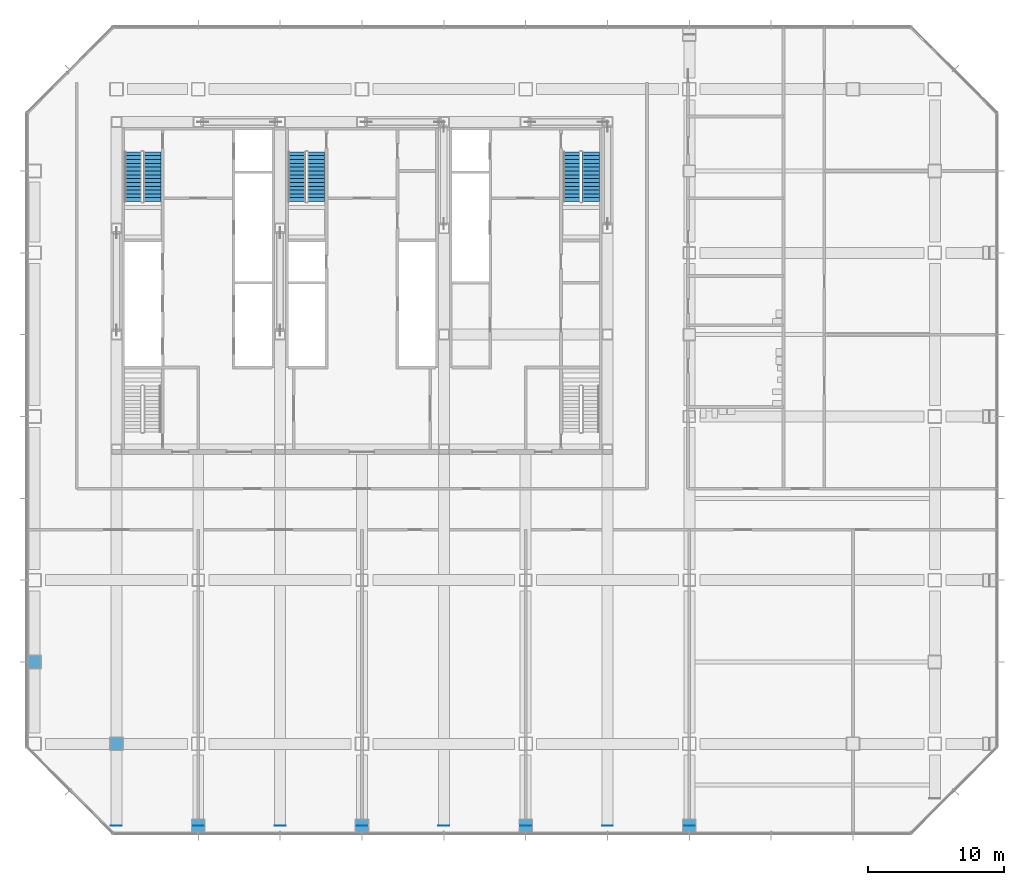
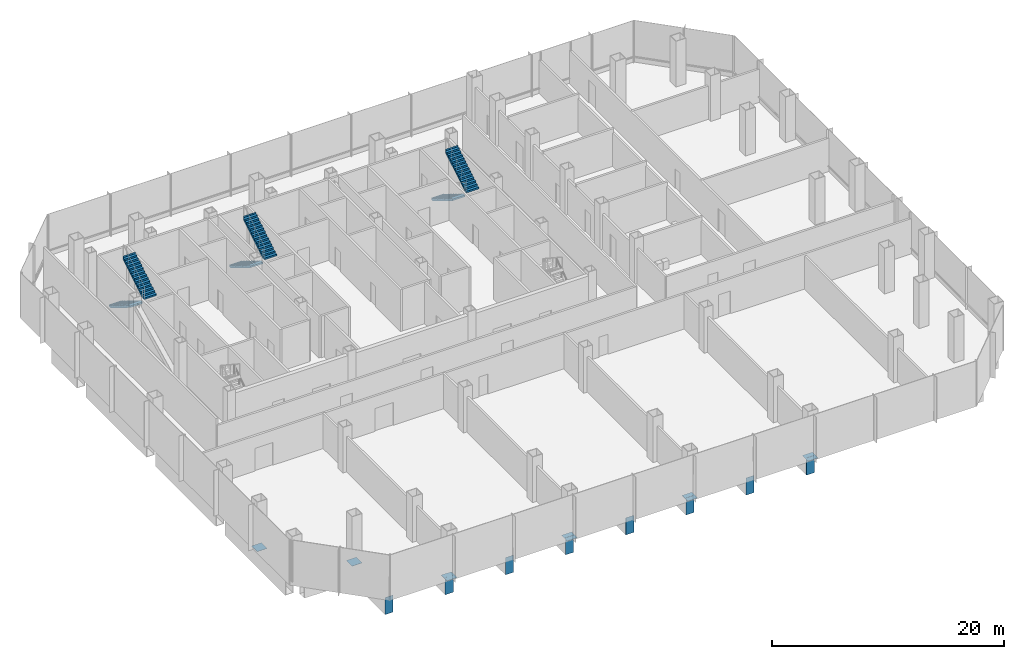
# One storey, part 25 of 34: 14 discrete accessories, 6 stair flights, 3 elements without a shape of their own.
"""IFC4 building model written with IfcOpenShell, lengths in metres."""

import ifcopenshell
import ifcopenshell.guid

model = None  # the IFC model being written
_history = None  # IfcOwnerHistory: only IFC2X3 demands one
_inside = {}  # id of a spatial element -> (the spatial element, [elements in it])
_under = {}  # id of a project, library or spatial element -> (it, [spatial elements below it])
_declared = {}  # id of a project -> (the project, [libraries it declares])
_typed = {}  # id of a type object -> (the type object, [elements of that type])
_made_of = {}  # id of a material, layer set ... -> (it, [elements and type objects made of it])


def new_model(schema):
    """Start an empty IFC model of exactly this schema.

    Asked for "IFC4X3", IfcOpenShell would pick the latest addendum, in which some entities
    have other attributes; the version numbers below select the first issue.
    IFC2X3 requires an IfcOwnerHistory on every rooted entity: one is made here for all.
    """
    global model, _history
    if schema == "IFC4X3":
        model = ifcopenshell.file(schema_version=(4, 3, 0, 0))
    else:
        model = ifcopenshell.file(schema=schema)
    _inside.clear()
    _under.clear()
    _declared.clear()
    _typed.clear()
    _made_of.clear()
    _history = None
    if model.schema == "IFC2X3":
        org = make("IfcOrganization", Name="unknown")
        user = make(
            "IfcPersonAndOrganization",
            ThePerson=make("IfcPerson", FamilyName="unknown"),
            TheOrganization=org,
        )
        app = make(
            "IfcApplication",
            ApplicationDeveloper=org,
            Version="unknown",
            ApplicationFullName="unknown",
            ApplicationIdentifier="unknown",
        )
        _history = make(
            "IfcOwnerHistory",
            OwningUser=user,
            OwningApplication=app,
            ChangeAction="ADDED",
            CreationDate=0,
        )
    return model


def make(cls, **values):
    """One entity of the class cls with the attributes given. An attribute that is None is left unset."""
    return model.create_entity(
        cls, **{name: value for name, value in values.items() if value is not None}
    )


def rooted(cls, **values):
    """An entity with a GlobalId (a new one), such as an element, a storey or a relation."""
    return make(cls, GlobalId=ifcopenshell.guid.new(), OwnerHistory=_history, **values)


def si_unit(unit_type, name, prefix=None):
    """IfcSIUnit, for example si_unit("LENGTHUNIT", "METRE", prefix="MILLI")."""
    return make("IfcSIUnit", UnitType=unit_type, Prefix=prefix, Name=name)


def assignment(units):
    """IfcUnitAssignment: the units of a project."""
    return None if units is None else make("IfcUnitAssignment", Units=units)


def point(xyz):
    """IfcCartesianPoint."""
    return None if xyz is None else make("IfcCartesianPoint", Coordinates=xyz)


def direction(xyz):
    """IfcDirection."""
    return None if xyz is None else make("IfcDirection", DirectionRatios=xyz)


def frame(location, z_axis=None, x_axis=None):
    """IfcAxis2Placement3D, a coordinate frame: its origin and axes. An axis left out is left unset."""
    return make(
        "IfcAxis2Placement3D",
        Location=point(location),
        Axis=direction(z_axis),
        RefDirection=direction(x_axis),
    )


def frame_2d(location, x_axis=None):
    """IfcAxis2Placement2D, a coordinate frame in the plane: its origin and x axis."""
    return make(
        "IfcAxis2Placement2D", Location=point(location), RefDirection=direction(x_axis)
    )


def origin():
    """The frame at (0, 0, 0) with its axes left unset."""
    return frame((0.0, 0.0, 0.0))


def origin_2d():
    """The frame at (0, 0) in the plane with its x axis left unset."""
    return frame_2d((0.0, 0.0))


def place(relative_to, where):
    """IfcLocalPlacement: puts the frame where relative to a parent placement (None: the world)."""
    return make(
        "IfcLocalPlacement", PlacementRelTo=relative_to, RelativePlacement=where
    )


def context(
    kind, dimensions, precision=None, world=None, true_north=None, identifier=None
):
    """IfcGeometricRepresentationContext, for example the 3D "Model" context."""
    return make(
        "IfcGeometricRepresentationContext",
        ContextIdentifier=identifier,
        ContextType=kind,
        CoordinateSpaceDimension=dimensions,
        Precision=precision,
        WorldCoordinateSystem=world,
        TrueNorth=true_north,
    )


def subcontext(parent, identifier, kind, view, scale=None):
    """IfcGeometricRepresentationSubContext, for example "Body" below "Model"."""
    return make(
        "IfcGeometricRepresentationSubContext",
        ContextIdentifier=identifier,
        ContextType=kind,
        ParentContext=parent,
        TargetScale=scale,
        TargetView=view,
    )


def project(units=None, contexts=None):
    """IfcProject with its units and contexts."""
    return rooted(
        "IfcProject",
        Name="project",
        RepresentationContexts=contexts,
        UnitsInContext=assignment(units),
    )


def spatial(cls, under=None, at=None, **own):
    """A site, building, storey or space (cls), placed at a placement, below another one or the project."""
    s = rooted(cls, ObjectPlacement=at, **own)
    if under is not None:
        _under.setdefault(under.id(), (under, []))[1].append(s)
    return s


def polyline(points):
    """IfcPolyline through the points."""
    return make("IfcPolyline", Points=[point(p) for p in points])


def profile(cls, at=None, kind="AREA", **sizes):
    """A parametric profile (cls). Its sizes go by their IFC names, for example OverallWidth=200.0."""
    return make(cls, ProfileType=kind, Position=at, **sizes)


def rectangle(**sizes):
    """IfcRectangleProfileDef."""
    return profile("IfcRectangleProfileDef", **sizes)


def outline(outer, holes=None, kind="AREA"):
    """IfcArbitraryClosedProfileDef: a profile drawn as a closed curve; with holes, ...WithVoids."""
    if holes is None:
        return make("IfcArbitraryClosedProfileDef", ProfileType=kind, OuterCurve=outer)
    return make(
        "IfcArbitraryProfileDefWithVoids",
        ProfileType=kind,
        OuterCurve=outer,
        InnerCurves=holes,
    )


def extrude(swept, where, along, depth):
    """IfcExtrudedAreaSolid: the profile swept, set in the frame where, extruded along a direction by depth."""
    return make(
        "IfcExtrudedAreaSolid",
        SweptArea=swept,
        Position=where,
        ExtrudedDirection=direction(along),
        Depth=depth,
    )


def shape(context_of_items, identifier, shape_type, items):
    """IfcShapeRepresentation: the items that make up one representation, for example the "Body"."""
    return make(
        "IfcShapeRepresentation",
        ContextOfItems=context_of_items,
        RepresentationIdentifier=identifier,
        RepresentationType=shape_type,
        Items=items,
    )


def material(Name=None, Category=None):
    """IfcMaterial."""
    return make("IfcMaterial", Name=Name, Category=Category)


def layer(
    of_material, thickness, ventilated=None, Name=None, Category=None, Priority=None
):
    """IfcMaterialLayer: one layer of a wall or slab, of a material (None: an air gap)."""
    return make(
        "IfcMaterialLayer",
        Material=of_material,
        LayerThickness=thickness,
        IsVentilated=ventilated,
        Name=Name,
        Category=Category,
        Priority=Priority,
    )


def layer_set(layers, Name=None):
    """IfcMaterialLayerSet."""
    return make("IfcMaterialLayerSet", MaterialLayers=layers, LayerSetName=Name)


def made_of(thing, what):
    """Note that an element or type object is made of a material, layer set ...; save() writes the relation."""
    if what is not None:
        _made_of.setdefault(what.id(), (what, []))[1].append(thing)
    return thing


def type_object(cls, material=None, **own):
    """A type object (cls), such as IfcWallType, which elements share."""
    return made_of(rooted(cls, **own), material)


def element(
    cls,
    number,
    at=None,
    inside=None,
    cuts=None,
    type_object=None,
    material=None,
    context=None,
    identifier="Body",
    shape_type=None,
    held_by="IfcProductDefinitionShape",
    body=None,
    shapes=None,
    **own,
):
    """One element of the class cls, such as IfcWall. Its Tag is "e" and its number.

    at: its placement. inside: the storey or other place that contains it. cuts: it is an
    opening in that element (IfcRelVoidsElement). A single representation is given by context,
    identifier, shape_type and body (its items); several are given by shapes. held_by: the class
    of the entity that holds the representations. save() writes the other relations.
    """
    e = rooted(cls, Tag="e%d" % number, ObjectPlacement=at, **own)
    if body is not None:
        shapes = [shape(context, identifier, shape_type, body)]
    if shapes is not None:
        e.Representation = make(held_by, Representations=shapes)
    if inside is not None:
        _inside.setdefault(inside.id(), (inside, []))[1].append(e)
    if cuts is not None:
        rooted(
            "IfcRelVoidsElement", RelatingBuildingElement=cuts, RelatedOpeningElement=e
        )
    if type_object is not None:
        _typed.setdefault(type_object.id(), (type_object, []))[1].append(e)
    return made_of(e, material)


def aggregate(whole, parts):
    """IfcRelAggregates: a whole, such as a stair, and the parts it consists of."""
    return rooted("IfcRelAggregates", RelatingObject=whole, RelatedObjects=parts)


def save(model, path):
    """Write the relations noted so far, then the file.

    IfcRelAggregates (storeys below a building ...), IfcRelContainedInSpatialStructure (elements
    in a storey), IfcRelDefinesByType, IfcRelAssociatesMaterial and IfcRelDeclares: one each for
    every whole, place, type object, material and project.
    """
    for whole, parts in _under.values():
        aggregate(whole, parts)
    for where, things in _inside.values():
        rooted(
            "IfcRelContainedInSpatialStructure",
            RelatedElements=things,
            RelatingStructure=where,
        )
    for kind, things in _typed.values():
        rooted("IfcRelDefinesByType", RelatedObjects=things, RelatingType=kind)
    for what, things in _made_of.values():
        rooted("IfcRelAssociatesMaterial", RelatedObjects=things, RelatingMaterial=what)
    for by, libraries in _declared.values():
        rooted("IfcRelDeclares", RelatingContext=by, RelatedDefinitions=libraries)
    model.write(path)


model = new_model("IFC4")

# Units and contexts
model_context = context("Model", 3, precision=1e-05, world=origin(), true_north=direction((0.0, 1.0)))
body_context = subcontext(model_context, "Body", "Model", "MODEL_VIEW")
ifc_project = project(units=[si_unit("LENGTHUNIT", "METRE"), si_unit("AREAUNIT", "SQUARE_METRE"), si_unit("VOLUMEUNIT", "CUBIC_METRE"), si_unit("PLANEANGLEUNIT", "RADIAN"), si_unit("MASSUNIT", "GRAM", prefix="KILO")], contexts=[model_context])

# Site, building, storey
site_placement = place(None, origin())
site = spatial("IfcSite", under=ifc_project, at=site_placement, CompositionType="ELEMENT")
building_placement = place(site_placement, origin())
building = spatial("IfcBuilding", under=site, at=building_placement, Name="Sorahane Residences", CompositionType="ELEMENT")
storey_placement = place(building_placement, frame((0.0, 0.0, 20.39990234375)))
storey = spatial("IfcBuildingStorey", under=building, at=storey_placement, Name="L02", CompositionType="ELEMENT", Elevation=20.39990234375)

# Stair, stair flights
ifc_material_1 = material(Name="Concrete C40", Category="concrete")
stair_type = type_object("IfcStairType", Name="Dog-leg stair 1250 Concrete C40", PredefinedType="HALF_TURN_STAIR", material=ifc_material_1)
stair_1_placement = place(storey_placement, origin())
stair_1 = element("IfcStair", 1, at=stair_1_placement, inside=storey, type_object=stair_type, Name="L02 Stair S1", PredefinedType="HALF_TURN_STAIR")
ifc_material_2 = material(Name="Concrete C40", Category="concrete")
stair_flight_type = type_object("IfcStairFlightType", Name="Stair flight 1250 Concrete C40", PredefinedType="STRAIGHT", material=ifc_material_2)
stair_flight_1_placement = place(storey_placement, frame((7.22509765625, 43.39990234375, 0.0), z_axis=(0.0, 0.0, 1.0), x_axis=(0.0, -1.0, 0.0)))
stair_flight_1 = element("IfcStairFlight", 2, at=stair_flight_1_placement, type_object=stair_flight_type, Name="S1 flight 1", NumberOfRisers=14, NumberOfTreads=13, PredefinedType="STRAIGHT", RiserHeight=0.171428571, TreadLength=0.28, context=body_context, shape_type="SweptSolid", body=[
    extrude(outline(polyline([(-0.00146484375, 0.0), (-0.00146484375, 0.17138671875), (0.0, 0.17138671875), (0.280029296875, 0.17138671875), (0.280029296875, 0.3427734375), (0.56005859375, 0.3427734375), (0.56005859375, 0.514404296875), (0.840087890625, 0.514404296875), (0.840087890625, 0.685791015625), (1.1201171875, 0.685791015625), (1.1201171875, 0.857177734375), (1.39990234375, 0.857177734375), (1.39990234375, 1.028564453125), (1.679931640625, 1.028564453125), (1.679931640625, 1.199951171875), (1.9599609375, 1.199951171875), (1.9599609375, 1.371337890625), (2.239990234375, 1.371337890625), (2.239990234375, 1.54296875), (2.52001953125, 1.54296875), (2.52001953125, 1.71435546875), (2.800048828125, 1.71435546875), (2.800048828125, 1.8857421875), (3.080078125, 1.8857421875), (3.080078125, 2.05712890625), (3.360107421875, 2.05712890625), (3.360107421875, 2.228515625), (3.639892578125, 2.228515625), (3.639892578125, 2.39990234375), (3.639892578125, 2.052734375), (3.41650390625, 1.916015625), (3.19287109375, 1.779052734375), (2.969482421875, 1.642333984375), (2.745849609375, 1.50537109375), (2.5224609375, 1.36865234375), (2.298828125, 1.231689453125), (2.0751953125, 1.0947265625), (1.851806640625, 0.9580078125), (1.628173828125, 0.821044921875), (1.40478515625, 0.684326171875), (1.18115234375, 0.54736328125), (0.957763671875, 0.41064453125), (0.734130859375, 0.273681640625), (0.510498046875, 0.136962890625), (0.287109375, 0.0), (-0.00146484375, 0.0)])), frame((0.0, 0.625, 0.0), z_axis=(0.0, -1.0, 0.0), x_axis=(1.0, 0.0, 0.0)), (0.0, 0.0, 1.0), 1.25),
])
stair_flight_2_placement = place(storey_placement, frame((8.625, 39.760009765625, 2.400146484375), z_axis=(0.0, 0.0, 1.0), x_axis=(0.0, 1.0, 0.0)))
stair_flight_2 = element("IfcStairFlight", 3, at=stair_flight_2_placement, type_object=stair_flight_type, Name="S1 flight 2", NumberOfRisers=14, NumberOfTreads=13, PredefinedType="STRAIGHT", RiserHeight=0.171428571, TreadLength=0.28, context=body_context, shape_type="SweptSolid", body=[
    extrude(outline(polyline([(0.0, 0.0), (0.0, 0.17138671875), (0.280029296875, 0.17138671875), (0.280029296875, 0.3427734375), (0.56005859375, 0.3427734375), (0.56005859375, 0.514404296875), (0.840087890625, 0.514404296875), (0.840087890625, 0.685791015625), (1.1201171875, 0.685791015625), (1.1201171875, 0.857177734375), (1.39990234375, 0.857177734375), (1.39990234375, 1.028564453125), (1.679931640625, 1.028564453125), (1.679931640625, 1.199951171875), (1.9599609375, 1.199951171875), (1.9599609375, 1.371337890625), (2.239990234375, 1.371337890625), (2.239990234375, 1.54296875), (2.52001953125, 1.54296875), (2.52001953125, 1.71435546875), (2.800048828125, 1.71435546875), (2.800048828125, 1.8857421875), (3.080078125, 1.8857421875), (3.080078125, 2.05712890625), (3.360107421875, 2.05712890625), (3.360107421875, 2.228515625), (3.639892578125, 2.228515625), (3.639892578125, 2.39990234375), (3.6416015625, 2.39990234375), (3.6416015625, 2.052734375), (3.41796875, 1.916015625), (3.1943359375, 1.779052734375), (2.970703125, 1.642333984375), (2.7470703125, 1.50537109375), (2.5234375, 1.36865234375), (2.2998046875, 1.231689453125), (2.076171875, 1.0947265625), (1.8525390625, 0.9580078125), (1.62890625, 0.821044921875), (1.4052734375, 0.684326171875), (1.181640625, 0.54736328125), (0.9580078125, 0.41064453125), (0.734375, 0.273681640625), (0.5107421875, 0.136962890625), (0.287109375, 0.0), (0.0, 0.0)])), frame((0.0, 0.625, 0.0), z_axis=(0.0, -1.0, 0.0), x_axis=(1.0, 0.0, 0.0)), (0.0, 0.0, 1.0), 1.25),
])
aggregate(stair_1, [stair_flight_1, stair_flight_2])

stair_2_placement = place(storey_placement, origin())
stair_2 = element("IfcStair", 4, at=stair_2_placement, inside=storey, type_object=stair_type, Name="L02 Stair S2", PredefinedType="HALF_TURN_STAIR")
stair_flight_3_placement = place(storey_placement, frame((39.375, 43.39990234375, 0.0), z_axis=(0.0, 0.0, 1.0), x_axis=(0.0, -1.0, 0.0)))
stair_flight_3 = element("IfcStairFlight", 5, at=stair_flight_3_placement, type_object=stair_flight_type, Name="S2 flight 1", NumberOfRisers=14, NumberOfTreads=13, PredefinedType="STRAIGHT", RiserHeight=0.171428571, TreadLength=0.28, context=body_context, shape_type="SweptSolid", body=[
    extrude(outline(polyline([(-0.00146484375, 0.0), (-0.00146484375, 0.17138671875), (0.0, 0.17138671875), (0.280029296875, 0.17138671875), (0.280029296875, 0.3427734375), (0.56005859375, 0.3427734375), (0.56005859375, 0.514404296875), (0.840087890625, 0.514404296875), (0.840087890625, 0.685791015625), (1.1201171875, 0.685791015625), (1.1201171875, 0.857177734375), (1.39990234375, 0.857177734375), (1.39990234375, 1.028564453125), (1.679931640625, 1.028564453125), (1.679931640625, 1.199951171875), (1.9599609375, 1.199951171875), (1.9599609375, 1.371337890625), (2.239990234375, 1.371337890625), (2.239990234375, 1.54296875), (2.52001953125, 1.54296875), (2.52001953125, 1.71435546875), (2.800048828125, 1.71435546875), (2.800048828125, 1.8857421875), (3.080078125, 1.8857421875), (3.080078125, 2.05712890625), (3.360107421875, 2.05712890625), (3.360107421875, 2.228515625), (3.639892578125, 2.228515625), (3.639892578125, 2.39990234375), (3.639892578125, 2.052734375), (3.41650390625, 1.916015625), (3.19287109375, 1.779052734375), (2.969482421875, 1.642333984375), (2.745849609375, 1.50537109375), (2.5224609375, 1.36865234375), (2.298828125, 1.231689453125), (2.0751953125, 1.0947265625), (1.851806640625, 0.9580078125), (1.628173828125, 0.821044921875), (1.40478515625, 0.684326171875), (1.18115234375, 0.54736328125), (0.957763671875, 0.41064453125), (0.734130859375, 0.273681640625), (0.510498046875, 0.136962890625), (0.287109375, 0.0), (-0.00146484375, 0.0)])), frame((0.0, 0.625, 0.0), z_axis=(0.0, -1.0, 0.0), x_axis=(1.0, 0.0, 0.0)), (0.0, 0.0, 1.0), 1.25),
])
stair_flight_4_placement = place(storey_placement, frame((40.77490234375, 39.760009765625, 2.400146484375), z_axis=(0.0, 0.0, 1.0), x_axis=(0.0, 1.0, 0.0)))
stair_flight_4 = element("IfcStairFlight", 6, at=stair_flight_4_placement, type_object=stair_flight_type, Name="S2 flight 2", NumberOfRisers=14, NumberOfTreads=13, PredefinedType="STRAIGHT", RiserHeight=0.171428571, TreadLength=0.28, context=body_context, shape_type="SweptSolid", body=[
    extrude(outline(polyline([(0.0, 0.0), (0.0, 0.17138671875), (0.280029296875, 0.17138671875), (0.280029296875, 0.3427734375), (0.56005859375, 0.3427734375), (0.56005859375, 0.514404296875), (0.840087890625, 0.514404296875), (0.840087890625, 0.685791015625), (1.1201171875, 0.685791015625), (1.1201171875, 0.857177734375), (1.39990234375, 0.857177734375), (1.39990234375, 1.028564453125), (1.679931640625, 1.028564453125), (1.679931640625, 1.199951171875), (1.9599609375, 1.199951171875), (1.9599609375, 1.371337890625), (2.239990234375, 1.371337890625), (2.239990234375, 1.54296875), (2.52001953125, 1.54296875), (2.52001953125, 1.71435546875), (2.800048828125, 1.71435546875), (2.800048828125, 1.8857421875), (3.080078125, 1.8857421875), (3.080078125, 2.05712890625), (3.360107421875, 2.05712890625), (3.360107421875, 2.228515625), (3.639892578125, 2.228515625), (3.639892578125, 2.39990234375), (3.6416015625, 2.39990234375), (3.6416015625, 2.052734375), (3.41796875, 1.916015625), (3.1943359375, 1.779052734375), (2.970703125, 1.642333984375), (2.7470703125, 1.50537109375), (2.5234375, 1.36865234375), (2.2998046875, 1.231689453125), (2.076171875, 1.0947265625), (1.8525390625, 0.9580078125), (1.62890625, 0.821044921875), (1.4052734375, 0.684326171875), (1.181640625, 0.54736328125), (0.9580078125, 0.41064453125), (0.734375, 0.273681640625), (0.5107421875, 0.136962890625), (0.287109375, 0.0), (0.0, 0.0)])), frame((0.0, 0.625, 0.0), z_axis=(0.0, -1.0, 0.0), x_axis=(1.0, 0.0, 0.0)), (0.0, 0.0, 1.0), 1.25),
])
aggregate(stair_2, [stair_flight_3, stair_flight_4])

stair_3_placement = place(storey_placement, origin())
stair_3 = element("IfcStair", 7, at=stair_3_placement, inside=storey, type_object=stair_type, Name="L02 Stair S3", PredefinedType="HALF_TURN_STAIR")
stair_flight_5_placement = place(storey_placement, frame((19.22509765625, 43.39990234375, 0.0), z_axis=(0.0, 0.0, 1.0), x_axis=(0.0, -1.0, 0.0)))
stair_flight_5 = element("IfcStairFlight", 8, at=stair_flight_5_placement, type_object=stair_flight_type, Name="S3 flight 1", NumberOfRisers=14, NumberOfTreads=13, PredefinedType="STRAIGHT", RiserHeight=0.171428571, TreadLength=0.28, context=body_context, shape_type="SweptSolid", body=[
    extrude(outline(polyline([(-0.00146484375, 0.0), (-0.00146484375, 0.17138671875), (0.0, 0.17138671875), (0.280029296875, 0.17138671875), (0.280029296875, 0.3427734375), (0.56005859375, 0.3427734375), (0.56005859375, 0.514404296875), (0.840087890625, 0.514404296875), (0.840087890625, 0.685791015625), (1.1201171875, 0.685791015625), (1.1201171875, 0.857177734375), (1.39990234375, 0.857177734375), (1.39990234375, 1.028564453125), (1.679931640625, 1.028564453125), (1.679931640625, 1.199951171875), (1.9599609375, 1.199951171875), (1.9599609375, 1.371337890625), (2.239990234375, 1.371337890625), (2.239990234375, 1.54296875), (2.52001953125, 1.54296875), (2.52001953125, 1.71435546875), (2.800048828125, 1.71435546875), (2.800048828125, 1.8857421875), (3.080078125, 1.8857421875), (3.080078125, 2.05712890625), (3.360107421875, 2.05712890625), (3.360107421875, 2.228515625), (3.639892578125, 2.228515625), (3.639892578125, 2.39990234375), (3.639892578125, 2.052734375), (3.41650390625, 1.916015625), (3.19287109375, 1.779052734375), (2.969482421875, 1.642333984375), (2.745849609375, 1.50537109375), (2.5224609375, 1.36865234375), (2.298828125, 1.231689453125), (2.0751953125, 1.0947265625), (1.851806640625, 0.9580078125), (1.628173828125, 0.821044921875), (1.40478515625, 0.684326171875), (1.18115234375, 0.54736328125), (0.957763671875, 0.41064453125), (0.734130859375, 0.273681640625), (0.510498046875, 0.136962890625), (0.287109375, 0.0), (-0.00146484375, 0.0)])), frame((0.0, 0.625, 0.0), z_axis=(0.0, -1.0, 0.0), x_axis=(1.0, 0.0, 0.0)), (0.0, 0.0, 1.0), 1.25),
])
stair_flight_6_placement = place(storey_placement, frame((20.625, 39.760009765625, 2.400146484375), z_axis=(0.0, 0.0, 1.0), x_axis=(0.0, 1.0, 0.0)))
stair_flight_6 = element("IfcStairFlight", 9, at=stair_flight_6_placement, type_object=stair_flight_type, Name="S3 flight 2", NumberOfRisers=14, NumberOfTreads=13, PredefinedType="STRAIGHT", RiserHeight=0.171428571, TreadLength=0.28, context=body_context, shape_type="SweptSolid", body=[
    extrude(outline(polyline([(0.0, 0.0), (0.0, 0.17138671875), (0.280029296875, 0.17138671875), (0.280029296875, 0.3427734375), (0.56005859375, 0.3427734375), (0.56005859375, 0.514404296875), (0.840087890625, 0.514404296875), (0.840087890625, 0.685791015625), (1.1201171875, 0.685791015625), (1.1201171875, 0.857177734375), (1.39990234375, 0.857177734375), (1.39990234375, 1.028564453125), (1.679931640625, 1.028564453125), (1.679931640625, 1.199951171875), (1.9599609375, 1.199951171875), (1.9599609375, 1.371337890625), (2.239990234375, 1.371337890625), (2.239990234375, 1.54296875), (2.52001953125, 1.54296875), (2.52001953125, 1.71435546875), (2.800048828125, 1.71435546875), (2.800048828125, 1.8857421875), (3.080078125, 1.8857421875), (3.080078125, 2.05712890625), (3.360107421875, 2.05712890625), (3.360107421875, 2.228515625), (3.639892578125, 2.228515625), (3.639892578125, 2.39990234375), (3.6416015625, 2.39990234375), (3.6416015625, 2.052734375), (3.41796875, 1.916015625), (3.1943359375, 1.779052734375), (2.970703125, 1.642333984375), (2.7470703125, 1.50537109375), (2.5234375, 1.36865234375), (2.2998046875, 1.231689453125), (2.076171875, 1.0947265625), (1.8525390625, 0.9580078125), (1.62890625, 0.821044921875), (1.4052734375, 0.684326171875), (1.181640625, 0.54736328125), (0.9580078125, 0.41064453125), (0.734375, 0.273681640625), (0.5107421875, 0.136962890625), (0.287109375, 0.0), (0.0, 0.0)])), frame((0.0, 0.625, 0.0), z_axis=(0.0, -1.0, 0.0), x_axis=(1.0, 0.0, 0.0)), (0.0, 0.0, 1.0), 1.25),
])
aggregate(stair_3, [stair_flight_5, stair_flight_6])

# Discrete accessories
ifc_material_3 = material(Name="Steel Q420GJ", Category="steel")
ifc_layer_1 = layer(ifc_material_3, 0.02001953125)
ifc_layer_set_1 = layer_set([ifc_layer_1], Name="End plate Steel Q420GJ 1000x1000x20")
discrete_accessory_type_1 = type_object("IfcDiscreteAccessoryType", Name="End plate Steel Q420GJ 1000x1000x20", PredefinedType="USERDEFINED", material=ifc_layer_set_1)
for number, where, z_axis, x_axis, name in (
    (10, (12.0, -6.0, -0.419921875), (0.0, 0.0, 1.0), (1.0, 0.0, 0.0), "End plate L02"),
    (11, (24.0, -6.0, -0.419921875), (0.0, 0.0, 1.0), (1.0, 0.0, 0.0), "End plate L02"),
    (12, (36.0, -6.0, -0.419921875), (0.0, 0.0, 1.0), (1.0, 0.0, 0.0), "End plate L02"),
    (13, (48.0, -6.0, -0.419921875), (0.0, 0.0, 1.0), (1.0, 0.0, 0.0), "End plate L02"),
    (14, (6.0, 0.0, -0.419921875), (0.0, 0.0, 1.0), (1.0, 0.0, 0.0), "End plate L02"),
    (15, (0.0, 6.0, -0.419921875), (0.0, 0.0, 1.0), (1.0, 0.0, 0.0), "End plate L02"),
):
    element("IfcDiscreteAccessory", number, at=place(storey_placement, frame(where, z_axis=z_axis, x_axis=x_axis)), inside=storey, type_object=discrete_accessory_type_1, Name=name, ObjectType="END PLATE", PredefinedType="USERDEFINED", context=body_context, shape_type="SweptSolid", body=[
        extrude(rectangle(XDim=1.0, YDim=1.0, at=origin_2d()), origin(), (0.0, 0.0, 1.0), 0.02001953125),
    ])
ifc_material_4 = material(Name="Steel Q420GJ", Category="steel")
ifc_layer_2 = layer(ifc_material_4, 0.02001953125)
ifc_layer_set_2 = layer_set([ifc_layer_2], Name="End plate Steel Q420GJ 800x1800x20")
discrete_accessory_type_2 = type_object("IfcDiscreteAccessoryType", Name="End plate Steel Q420GJ 800x1800x20", PredefinedType="USERDEFINED", material=ifc_layer_set_2)
for number, where, z_axis, x_axis, name in (
    (16, (12.0, -6.010009765625, -2.19970703125), (0.0, 0.0, 1.0), (0.0, 1.0, 0.0), "End plate L02"),
    (17, (24.0, -6.010009765625, -2.19970703125), (0.0, 0.0, 1.0), (0.0, 1.0, 0.0), "End plate L02"),
    (18, (36.0, -6.010009765625, -2.19970703125), (0.0, 0.0, 1.0), (0.0, 1.0, 0.0), "End plate L02"),
    (19, (48.0, -6.010009765625, -2.19970703125), (0.0, 0.0, 1.0), (0.0, 1.0, 0.0), "End plate L02"),
    (20, (6.0, -6.010009765625, -2.19970703125), (0.0, 0.0, 1.0), (0.0, 1.0, 0.0), "End plate L02"),
    (21, (18.0, -6.010009765625, -2.19970703125), (0.0, 0.0, 1.0), (0.0, 1.0, 0.0), "End plate L02"),
    (22, (30.0, -6.010009765625, -2.19970703125), (0.0, 0.0, 1.0), (0.0, 1.0, 0.0), "End plate L02"),
    (23, (42.0, -6.010009765625, -2.19970703125), (0.0, 0.0, 1.0), (0.0, 1.0, 0.0), "End plate L02"),
):
    element("IfcDiscreteAccessory", number, at=place(storey_placement, frame(where, z_axis=z_axis, x_axis=x_axis)), inside=storey, type_object=discrete_accessory_type_2, Name=name, ObjectType="END PLATE", PredefinedType="USERDEFINED", context=body_context, shape_type="SweptSolid", body=[
        extrude(rectangle(XDim=0.02001953125, YDim=0.800048828125, at=origin_2d()), origin(), (0.0, 0.0, 1.0), 1.800048828125),
    ])

save(model, "model.ifc")
